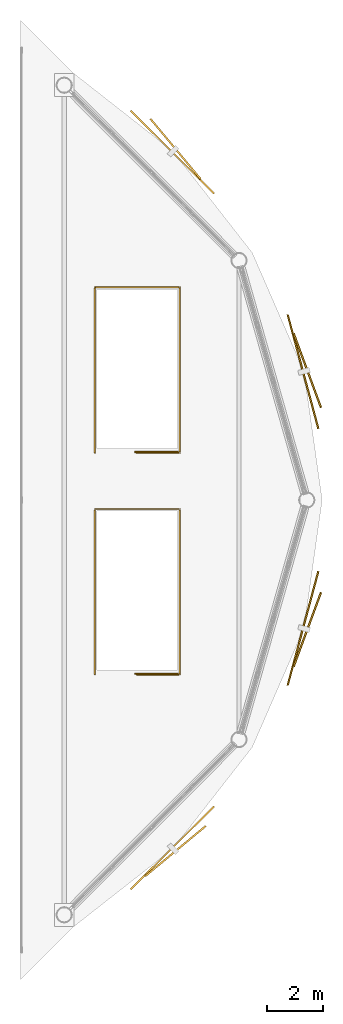
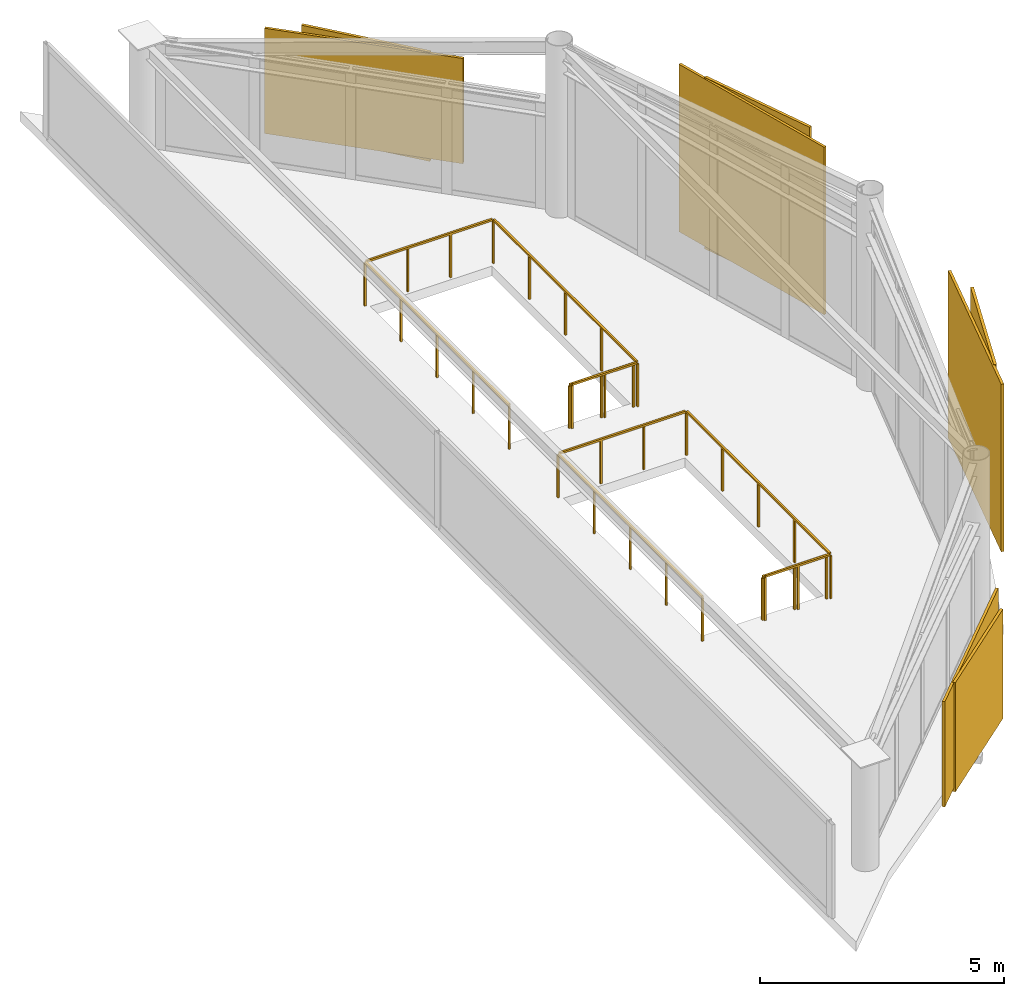
# One storey, part 6 of 6: 4 coverings, 4 railings, 4 shading devices.
"""IFC4 building model written with IfcOpenShell, lengths in metres."""

from ifc_helpers import new_model, si_unit, direction, frame, origin, origin_2d, place, context, subcontext, project, spatial, rectangle, extrude, source, transform, mapped, material, layer, layer_set, type_object, type_shapes, element, save


model = new_model("IFC4")

# Units and contexts
model_context = context("Model", 3, precision=1e-05, world=origin(), true_north=direction((0.0, 1.0)))
body_context = subcontext(model_context, "Body", "Model", "MODEL_VIEW")
ifc_project = project(units=[si_unit("LENGTHUNIT", "METRE"), si_unit("AREAUNIT", "SQUARE_METRE"), si_unit("VOLUMEUNIT", "CUBIC_METRE"), si_unit("PLANEANGLEUNIT", "RADIAN"), si_unit("MASSUNIT", "GRAM", prefix="KILO")], contexts=[model_context])

# Site, building, storey
site_placement = place(None, origin())
site = spatial("IfcSite", under=ifc_project, at=site_placement, CompositionType="ELEMENT")
building_placement = place(site_placement, origin())
building = spatial("IfcBuilding", under=site, at=building_placement, Name="Varnakorn Sky Granary", CompositionType="ELEMENT")
storey_placement = place(building_placement, frame((0.0, 0.0, 319.199951171875)))
storey = spatial("IfcBuildingStorey", under=building, at=storey_placement, Name="L81", CompositionType="ELEMENT", Elevation=319.199951171875)

# Railings
ifc_material_1 = material(Name="Brushed Stainless Steel 316", Category="steel")
railing_type = type_object("IfcRailingType", Name="RL-STAIR-1100", PredefinedType="GUARDRAIL", material=ifc_material_1)
for number, where, name in (
    (1, (17.39990234375, 1.7099609375, 0.0), "L81 ST-C1 top well guard 1"),
    (2, (17.39990234375, -6.18994140625, 0.0), "L81 ST-C2 top well guard 1"),
):
    element("IfcRailing", number, at=place(storey_placement, frame(where)), inside=storey, type_object=railing_type, Name=name, PredefinedType="GUARDRAIL", context=body_context, shape_type="SweptSolid", body=[
        extrude(rectangle(XDim=0.048095703125, YDim=0.048095703125, at=origin_2d()), frame((0.0, 0.0, 1.076171875), z_axis=(-1.0, 0.0, 0.0), x_axis=(0.0, -1.0, 0.0)), (0.0, 0.0, 1.0), 1.510009765625),
        extrude(rectangle(XDim=0.0419921875, YDim=0.0419921875, at=origin_2d()), origin(), (0.0, 0.0, 1.0), 1.048095703125),
        extrude(rectangle(XDim=0.0419921875, YDim=0.0419921875, at=origin_2d()), frame((-0.7548828125, 0.0, 0.0)), (0.0, 0.0, 1.0), 1.048095703125),
        extrude(rectangle(XDim=0.0419921875, YDim=0.0419921875, at=origin_2d()), frame((-1.510009765625, 0.0, 0.0)), (0.0, 0.0, 1.0), 1.048095703125),
    ])
railing_1_placement = place(storey_placement, frame((15.929931640625, 1.679931640625, 0.0)))
element("IfcRailing", 3, at=railing_1_placement, inside=storey, type_object=railing_type, Name="Crown Plant Stair Well Guard ST-C1", PredefinedType="GUARDRAIL", context=body_context, shape_type="SweptSolid", body=[
    extrude(rectangle(XDim=0.048095703125, YDim=0.048095703125, at=origin_2d()), frame((0.0, 0.0, 1.09619140625), z_axis=(1.0, 0.0, 0.0), x_axis=(0.0, 1.0, 0.0)), (0.0, 0.0, 1.0), 1.52197265625),
    extrude(rectangle(XDim=0.048095703125, YDim=0.048095703125, at=origin_2d()), frame((1.550048828125, 0.028076171875, 1.09619140625), z_axis=(0.0, 1.0, 0.0), x_axis=(-1.0, 0.0, 0.0)), (0.0, 0.0, 1.0), 5.84423828125),
    extrude(rectangle(XDim=0.048095703125, YDim=0.048095703125, at=origin_2d()), frame((1.52197265625, 5.900146484375, 1.09619140625), z_axis=(-1.0, 0.0, 0.0), x_axis=(0.0, -1.0, 0.0)), (0.0, 0.0, 1.0), 2.97412109375),
    extrude(rectangle(XDim=0.048095703125, YDim=0.048095703125, at=origin_2d()), frame((-1.47998046875, 5.8720703125, 1.09619140625), z_axis=(0.0, -1.0, 0.0), x_axis=(1.0, 0.0, 0.0)), (0.0, 0.0, 1.0), 5.8720703125),
    extrude(rectangle(XDim=0.0419921875, YDim=0.0419921875, at=origin_2d()), origin(), (0.0, 0.0, 1.0), 1.068115234375),
    extrude(rectangle(XDim=0.0419921875, YDim=0.0419921875, at=origin_2d()), frame((0.77490234375, 0.0, 0.0)), (0.0, 0.0, 1.0), 1.068115234375),
    extrude(rectangle(XDim=0.0419921875, YDim=0.0419921875, at=origin_2d()), frame((1.550048828125, 0.0, 0.0)), (0.0, 0.0, 1.0), 1.068115234375),
    extrude(rectangle(XDim=0.0419921875, YDim=0.0419921875, at=origin_2d()), frame((1.550048828125, 1.47509765625, 0.0)), (0.0, 0.0, 1.0), 1.068115234375),
    extrude(rectangle(XDim=0.0419921875, YDim=0.0419921875, at=origin_2d()), frame((1.550048828125, 2.9501953125, 0.0)), (0.0, 0.0, 1.0), 1.068115234375),
    extrude(rectangle(XDim=0.0419921875, YDim=0.0419921875, at=origin_2d()), frame((1.550048828125, 4.425048828125, 0.0)), (0.0, 0.0, 1.0), 1.068115234375),
    extrude(rectangle(XDim=0.0419921875, YDim=0.0419921875, at=origin_2d()), frame((1.550048828125, 5.900146484375, 0.0)), (0.0, 0.0, 1.0), 1.068115234375),
    extrude(rectangle(XDim=0.0419921875, YDim=0.0419921875, at=origin_2d()), frame((0.5400390625, 5.900146484375, 0.0)), (0.0, 0.0, 1.0), 1.068115234375),
    extrude(rectangle(XDim=0.0419921875, YDim=0.0419921875, at=origin_2d()), frame((-0.469970703125, 5.900146484375, 0.0)), (0.0, 0.0, 1.0), 1.068115234375),
    extrude(rectangle(XDim=0.0419921875, YDim=0.0419921875, at=origin_2d()), frame((-1.47998046875, 5.900146484375, 0.0)), (0.0, 0.0, 1.0), 1.068115234375),
    extrude(rectangle(XDim=0.0419921875, YDim=0.0419921875, at=origin_2d()), frame((-1.47998046875, 4.425048828125, 0.0)), (0.0, 0.0, 1.0), 1.068115234375),
    extrude(rectangle(XDim=0.0419921875, YDim=0.0419921875, at=origin_2d()), frame((-1.47998046875, 2.9501953125, 0.0)), (0.0, 0.0, 1.0), 1.068115234375),
    extrude(rectangle(XDim=0.0419921875, YDim=0.0419921875, at=origin_2d()), frame((-1.47998046875, 1.47509765625, 0.0)), (0.0, 0.0, 1.0), 1.068115234375),
    extrude(rectangle(XDim=0.0419921875, YDim=0.0419921875, at=origin_2d()), frame((-1.47998046875, 0.0, 0.0)), (0.0, 0.0, 1.0), 1.068115234375),
])
railing_2_placement = place(storey_placement, frame((15.929931640625, -6.219970703125, 0.0)))
element("IfcRailing", 4, at=railing_2_placement, inside=storey, type_object=railing_type, Name="Crown Plant Stair Well Guard ST-C2", PredefinedType="GUARDRAIL", context=body_context, shape_type="SweptSolid", body=[
    extrude(rectangle(XDim=0.048095703125, YDim=0.048095703125, at=origin_2d()), frame((0.0, 0.0, 1.09619140625), z_axis=(1.0, 0.0, 0.0), x_axis=(0.0, 1.0, 0.0)), (0.0, 0.0, 1.0), 1.52197265625),
    extrude(rectangle(XDim=0.048095703125, YDim=0.048095703125, at=origin_2d()), frame((1.550048828125, 0.028076171875, 1.09619140625), z_axis=(0.0, 1.0, 0.0), x_axis=(-1.0, 0.0, 0.0)), (0.0, 0.0, 1.0), 5.843994140625),
    extrude(rectangle(XDim=0.048095703125, YDim=0.048095703125, at=origin_2d()), frame((1.52197265625, 5.89990234375, 1.09619140625), z_axis=(-1.0, 0.0, 0.0), x_axis=(0.0, -1.0, 0.0)), (0.0, 0.0, 1.0), 2.97412109375),
    extrude(rectangle(XDim=0.048095703125, YDim=0.048095703125, at=origin_2d()), frame((-1.47998046875, 5.871826171875, 1.09619140625), z_axis=(0.0, -1.0, 0.0), x_axis=(1.0, 0.0, 0.0)), (0.0, 0.0, 1.0), 5.871826171875),
    extrude(rectangle(XDim=0.0419921875, YDim=0.0419921875, at=origin_2d()), origin(), (0.0, 0.0, 1.0), 1.068115234375),
    extrude(rectangle(XDim=0.0419921875, YDim=0.0419921875, at=origin_2d()), frame((0.77490234375, 0.0, 0.0)), (0.0, 0.0, 1.0), 1.068115234375),
    extrude(rectangle(XDim=0.0419921875, YDim=0.0419921875, at=origin_2d()), frame((1.550048828125, 0.0, 0.0)), (0.0, 0.0, 1.0), 1.068115234375),
    extrude(rectangle(XDim=0.0419921875, YDim=0.0419921875, at=origin_2d()), frame((1.550048828125, 1.47509765625, 0.0)), (0.0, 0.0, 1.0), 1.068115234375),
    extrude(rectangle(XDim=0.0419921875, YDim=0.0419921875, at=origin_2d()), frame((1.550048828125, 2.949951171875, 0.0)), (0.0, 0.0, 1.0), 1.068115234375),
    extrude(rectangle(XDim=0.0419921875, YDim=0.0419921875, at=origin_2d()), frame((1.550048828125, 4.4248046875, 0.0)), (0.0, 0.0, 1.0), 1.068115234375),
    extrude(rectangle(XDim=0.0419921875, YDim=0.0419921875, at=origin_2d()), frame((1.550048828125, 5.89990234375, 0.0)), (0.0, 0.0, 1.0), 1.068115234375),
    extrude(rectangle(XDim=0.0419921875, YDim=0.0419921875, at=origin_2d()), frame((0.5400390625, 5.89990234375, 0.0)), (0.0, 0.0, 1.0), 1.068115234375),
    extrude(rectangle(XDim=0.0419921875, YDim=0.0419921875, at=origin_2d()), frame((-0.469970703125, 5.89990234375, 0.0)), (0.0, 0.0, 1.0), 1.068115234375),
    extrude(rectangle(XDim=0.0419921875, YDim=0.0419921875, at=origin_2d()), frame((-1.47998046875, 5.89990234375, 0.0)), (0.0, 0.0, 1.0), 1.068115234375),
    extrude(rectangle(XDim=0.0419921875, YDim=0.0419921875, at=origin_2d()), frame((-1.47998046875, 4.4248046875, 0.0)), (0.0, 0.0, 1.0), 1.068115234375),
    extrude(rectangle(XDim=0.0419921875, YDim=0.0419921875, at=origin_2d()), frame((-1.47998046875, 2.949951171875, 0.0)), (0.0, 0.0, 1.0), 1.068115234375),
    extrude(rectangle(XDim=0.0419921875, YDim=0.0419921875, at=origin_2d()), frame((-1.47998046875, 1.47509765625, 0.0)), (0.0, 0.0, 1.0), 1.068115234375),
    extrude(rectangle(XDim=0.0419921875, YDim=0.0419921875, at=origin_2d()), frame((-1.47998046875, 0.0, 0.0)), (0.0, 0.0, 1.0), 1.068115234375),
])

# Shading devices
ifc_material_2 = material(Name="Anodised Bronze Aluminium Alloy 6063-T6", Category="aluminium")
shading_device_type = type_object("IfcShadingDeviceType", Name="SH-SCR-03", PredefinedType="USERDEFINED", material=ifc_material_2)
shared_shape_1 = source(origin(), body_context, "Body", "SweptSolid", [
    extrude(rectangle(XDim=2.800048828125, YDim=0.06494140625, at=origin_2d()), origin(), (0.0, 0.0, 1.0), 4.28076171875),
])
for number, where, z_axis, x_axis, name in (
    (5, (22.019287109375, 4.613525390625, -0.0400390625), (0.0, 0.0, 1.0), (-0.346784070686, 0.93794499216, 0.0), "Perforated Bronze Solar Screen Panel SCREEN L81-01"),
    (6, (22.019287109375, -4.613525390625, -0.0400390625), (0.0, 0.0, 1.0), (0.346784070686, 0.93794499216, 0.0), "Perforated Bronze Solar Screen Panel SCREEN L81-12"),
):
    element("IfcShadingDevice", number, at=place(storey_placement, frame(where, z_axis=z_axis, x_axis=x_axis)), inside=storey, type_object=shading_device_type, Name=name, ObjectType="SCREEN", PredefinedType="USERDEFINED", context=body_context, shape_type="MappedRepresentation", body=[
        mapped(shared_shape_1, transform((0.0, 0.0, 0.0), x_axis=(1.0, 0.0, 0.0), y_axis=(0.0, 1.0, 0.0), z_axis=(0.0, 0.0, 1.0), scale=1.0)),
    ])
shared_shape_2 = source(origin(), body_context, "Body", "SweptSolid", [
    extrude(rectangle(XDim=2.800048828125, YDim=0.06494140625, at=origin_2d()), origin(), (0.0, 0.0, 1.0), 2.72802734375),
])
type_shapes(shading_device_type, [shared_shape_1, shared_shape_2])
for number, where, z_axis, x_axis, name in (
    (7, (17.3232421875, 12.5087890625, -0.0400390625), (0.0, 0.0, 1.0), (-0.640539689879, 0.767925065153, 0.0), "Perforated Bronze Solar Screen Panel SCREEN L81-02"),
    (8, (17.3232421875, -12.5087890625, -0.0400390625), (0.0, 0.0, 1.0), (0.76975702135, 0.638337001969, 0.0), "Perforated Bronze Solar Screen Panel SCREEN L81-11"),
):
    element("IfcShadingDevice", number, at=place(storey_placement, frame(where, z_axis=z_axis, x_axis=x_axis)), inside=storey, type_object=shading_device_type, Name=name, ObjectType="SCREEN", PredefinedType="USERDEFINED", context=body_context, shape_type="MappedRepresentation", body=[
        mapped(shared_shape_2, transform((0.0, 0.0, 0.0), x_axis=(1.0, 0.0, 0.0), y_axis=(0.0, 1.0, 0.0), z_axis=(0.0, 0.0, 1.0), scale=1.0)),
    ])

# Coverings
ifc_layer = layer(ifc_material_2, 0.050048828125, Name="Anodised Bronze Aluminium Alloy 6063-T6")
ifc_layer_set = layer_set([ifc_layer], Name="Anodised Bronze Aluminium Alloy 6063-T6")
covering_type = type_object("IfcCoveringType", Name="CV-CLAD-50", PredefinedType="CLADDING", material=ifc_layer_set)
shared_shape_3 = source(origin(), body_context, "Body", "SweptSolid", [
    extrude(rectangle(XDim=4.199951171875, YDim=0.06005859375, at=origin_2d()), origin(), (0.0, 0.0, 1.0), 4.180908203125),
])
for number, where, z_axis, x_axis, name in (
    (9, (21.86474609375, 4.572021484375, 0.0498046875), (0.0, 0.0, 1.0), (-0.259505801394, 0.965741548782, 0.0), "Crown Louvre Cladding Screen L81-01"),
    (10, (21.86474609375, -4.572021484375, 0.0498046875), (0.0, 0.0, 1.0), (0.259505801394, 0.965741548782, 0.0), "Crown Louvre Cladding Screen L81-12"),
):
    element("IfcCovering", number, at=place(storey_placement, frame(where, z_axis=z_axis, x_axis=x_axis)), inside=storey, type_object=covering_type, Name=name, PredefinedType="CLADDING", context=body_context, shape_type="MappedRepresentation", body=[
        mapped(shared_shape_3, transform((0.0, 0.0, 0.0), x_axis=(1.0, 0.0, 0.0), y_axis=(0.0, 1.0, 0.0), z_axis=(0.0, 0.0, 1.0), scale=1.0)),
    ])
shared_shape_4 = source(origin(), body_context, "Body", "SweptSolid", [
    extrude(rectangle(XDim=4.199951171875, YDim=0.06005859375, at=origin_2d()), origin(), (0.0, 0.0, 1.0), 2.628173828125),
])
type_shapes(covering_type, [shared_shape_3, shared_shape_4])
for number, where, z_axis, x_axis, name in (
    (11, (17.210205078125, 12.3955078125, 0.05029296875), (0.0, 0.0, 1.0), (-0.708118965962, 0.706093145445, 0.0), "Crown Louvre Cladding Screen L81-02"),
    (12, (17.210205078125, -12.3955078125, 0.05029296875), (0.0, 0.0, 1.0), (0.708118965962, 0.706093145445, 0.0), "Crown Louvre Cladding Screen L81-11"),
):
    element("IfcCovering", number, at=place(storey_placement, frame(where, z_axis=z_axis, x_axis=x_axis)), inside=storey, type_object=covering_type, Name=name, PredefinedType="CLADDING", context=body_context, shape_type="MappedRepresentation", body=[
        mapped(shared_shape_4, transform((0.0, 0.0, 0.0), x_axis=(1.0, 0.0, 0.0), y_axis=(0.0, 1.0, 0.0), z_axis=(0.0, 0.0, 1.0), scale=1.0)),
    ])

save(model, "model.ifc")
